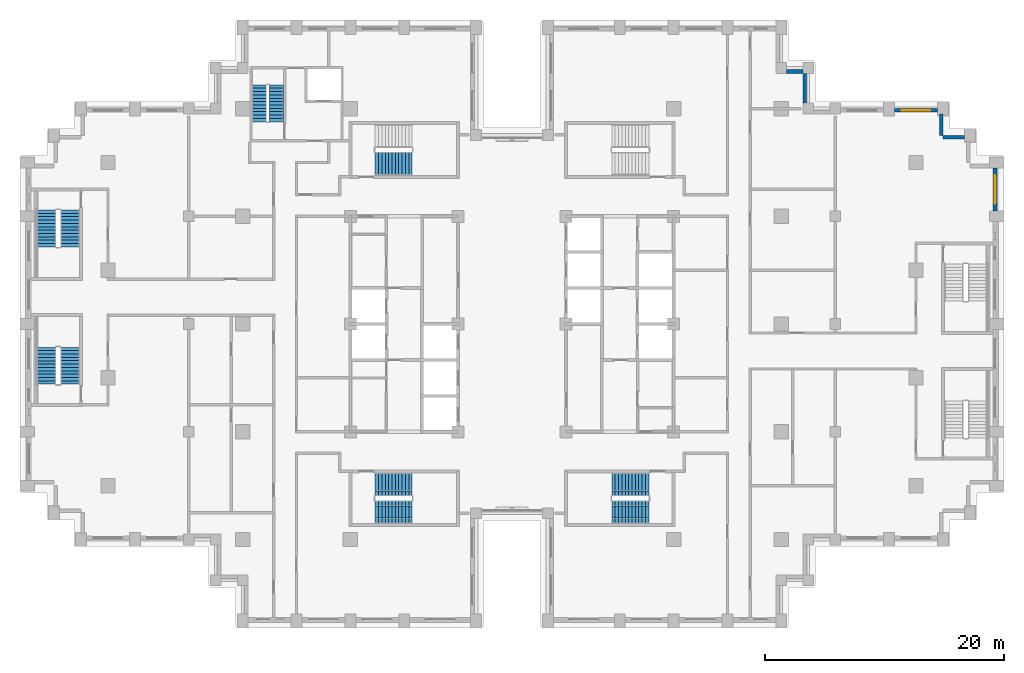
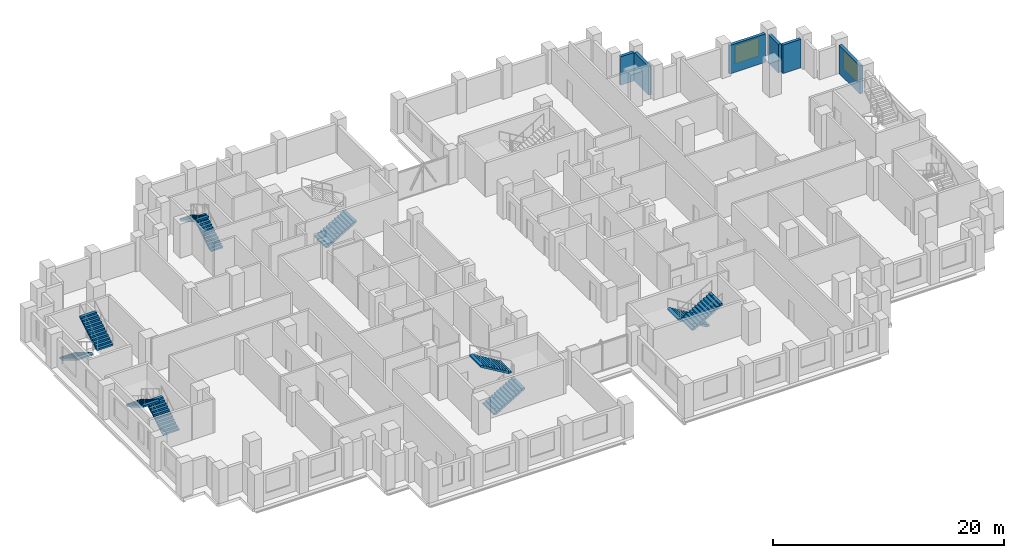
# One storey, part 13 of 16: 11 stair flights, 6 walls, 2 windows, 2 openings, 6 elements without a shape of their own.
"""IFC4 building model written with IfcOpenShell, lengths in metres."""

import ifcopenshell
import ifcopenshell.guid

model = None  # the IFC model being written
_history = None  # IfcOwnerHistory: only IFC2X3 demands one
_inside = {}  # id of a spatial element -> (the spatial element, [elements in it])
_under = {}  # id of a project, library or spatial element -> (it, [spatial elements below it])
_declared = {}  # id of a project -> (the project, [libraries it declares])
_typed = {}  # id of a type object -> (the type object, [elements of that type])
_made_of = {}  # id of a material, layer set ... -> (it, [elements and type objects made of it])


def new_model(schema):
    """Start an empty IFC model of exactly this schema.

    Asked for "IFC4X3", IfcOpenShell would pick the latest addendum, in which some entities
    have other attributes; the version numbers below select the first issue.
    IFC2X3 requires an IfcOwnerHistory on every rooted entity: one is made here for all.
    """
    global model, _history
    if schema == "IFC4X3":
        model = ifcopenshell.file(schema_version=(4, 3, 0, 0))
    else:
        model = ifcopenshell.file(schema=schema)
    _inside.clear()
    _under.clear()
    _declared.clear()
    _typed.clear()
    _made_of.clear()
    _history = None
    if model.schema == "IFC2X3":
        org = make("IfcOrganization", Name="unknown")
        user = make(
            "IfcPersonAndOrganization",
            ThePerson=make("IfcPerson", FamilyName="unknown"),
            TheOrganization=org,
        )
        app = make(
            "IfcApplication",
            ApplicationDeveloper=org,
            Version="unknown",
            ApplicationFullName="unknown",
            ApplicationIdentifier="unknown",
        )
        _history = make(
            "IfcOwnerHistory",
            OwningUser=user,
            OwningApplication=app,
            ChangeAction="ADDED",
            CreationDate=0,
        )
    return model


def make(cls, **values):
    """One entity of the class cls with the attributes given. An attribute that is None is left unset."""
    return model.create_entity(
        cls, **{name: value for name, value in values.items() if value is not None}
    )


def rooted(cls, **values):
    """An entity with a GlobalId (a new one), such as an element, a storey or a relation."""
    return make(cls, GlobalId=ifcopenshell.guid.new(), OwnerHistory=_history, **values)


def si_unit(unit_type, name, prefix=None):
    """IfcSIUnit, for example si_unit("LENGTHUNIT", "METRE", prefix="MILLI")."""
    return make("IfcSIUnit", UnitType=unit_type, Prefix=prefix, Name=name)


def assignment(units):
    """IfcUnitAssignment: the units of a project."""
    return None if units is None else make("IfcUnitAssignment", Units=units)


def point(xyz):
    """IfcCartesianPoint."""
    return None if xyz is None else make("IfcCartesianPoint", Coordinates=xyz)


def direction(xyz):
    """IfcDirection."""
    return None if xyz is None else make("IfcDirection", DirectionRatios=xyz)


def frame(location, z_axis=None, x_axis=None):
    """IfcAxis2Placement3D, a coordinate frame: its origin and axes. An axis left out is left unset."""
    return make(
        "IfcAxis2Placement3D",
        Location=point(location),
        Axis=direction(z_axis),
        RefDirection=direction(x_axis),
    )


def frame_2d(location, x_axis=None):
    """IfcAxis2Placement2D, a coordinate frame in the plane: its origin and x axis."""
    return make(
        "IfcAxis2Placement2D", Location=point(location), RefDirection=direction(x_axis)
    )


def origin():
    """The frame at (0, 0, 0) with its axes left unset."""
    return frame((0.0, 0.0, 0.0))


def place(relative_to, where):
    """IfcLocalPlacement: puts the frame where relative to a parent placement (None: the world)."""
    return make(
        "IfcLocalPlacement", PlacementRelTo=relative_to, RelativePlacement=where
    )


def context(
    kind, dimensions, precision=None, world=None, true_north=None, identifier=None
):
    """IfcGeometricRepresentationContext, for example the 3D "Model" context."""
    return make(
        "IfcGeometricRepresentationContext",
        ContextIdentifier=identifier,
        ContextType=kind,
        CoordinateSpaceDimension=dimensions,
        Precision=precision,
        WorldCoordinateSystem=world,
        TrueNorth=true_north,
    )


def subcontext(parent, identifier, kind, view, scale=None):
    """IfcGeometricRepresentationSubContext, for example "Body" below "Model"."""
    return make(
        "IfcGeometricRepresentationSubContext",
        ContextIdentifier=identifier,
        ContextType=kind,
        ParentContext=parent,
        TargetScale=scale,
        TargetView=view,
    )


def project(units=None, contexts=None):
    """IfcProject with its units and contexts."""
    return rooted(
        "IfcProject",
        Name="project",
        RepresentationContexts=contexts,
        UnitsInContext=assignment(units),
    )


def spatial(cls, under=None, at=None, **own):
    """A site, building, storey or space (cls), placed at a placement, below another one or the project."""
    s = rooted(cls, ObjectPlacement=at, **own)
    if under is not None:
        _under.setdefault(under.id(), (under, []))[1].append(s)
    return s


def polyline(points):
    """IfcPolyline through the points."""
    return make("IfcPolyline", Points=[point(p) for p in points])


def profile(cls, at=None, kind="AREA", **sizes):
    """A parametric profile (cls). Its sizes go by their IFC names, for example OverallWidth=200.0."""
    return make(cls, ProfileType=kind, Position=at, **sizes)


def rectangle(**sizes):
    """IfcRectangleProfileDef."""
    return profile("IfcRectangleProfileDef", **sizes)


def outline(outer, holes=None, kind="AREA"):
    """IfcArbitraryClosedProfileDef: a profile drawn as a closed curve; with holes, ...WithVoids."""
    if holes is None:
        return make("IfcArbitraryClosedProfileDef", ProfileType=kind, OuterCurve=outer)
    return make(
        "IfcArbitraryProfileDefWithVoids",
        ProfileType=kind,
        OuterCurve=outer,
        InnerCurves=holes,
    )


def extrude(swept, where, along, depth):
    """IfcExtrudedAreaSolid: the profile swept, set in the frame where, extruded along a direction by depth."""
    return make(
        "IfcExtrudedAreaSolid",
        SweptArea=swept,
        Position=where,
        ExtrudedDirection=direction(along),
        Depth=depth,
    )


def shape(context_of_items, identifier, shape_type, items):
    """IfcShapeRepresentation: the items that make up one representation, for example the "Body"."""
    return make(
        "IfcShapeRepresentation",
        ContextOfItems=context_of_items,
        RepresentationIdentifier=identifier,
        RepresentationType=shape_type,
        Items=items,
    )


def material(Name=None, Category=None):
    """IfcMaterial."""
    return make("IfcMaterial", Name=Name, Category=Category)


def layer(
    of_material, thickness, ventilated=None, Name=None, Category=None, Priority=None
):
    """IfcMaterialLayer: one layer of a wall or slab, of a material (None: an air gap)."""
    return make(
        "IfcMaterialLayer",
        Material=of_material,
        LayerThickness=thickness,
        IsVentilated=ventilated,
        Name=Name,
        Category=Category,
        Priority=Priority,
    )


def layer_set(layers, Name=None):
    """IfcMaterialLayerSet."""
    return make("IfcMaterialLayerSet", MaterialLayers=layers, LayerSetName=Name)


def made_of(thing, what):
    """Note that an element or type object is made of a material, layer set ...; save() writes the relation."""
    if what is not None:
        _made_of.setdefault(what.id(), (what, []))[1].append(thing)
    return thing


def type_object(cls, material=None, **own):
    """A type object (cls), such as IfcWallType, which elements share."""
    return made_of(rooted(cls, **own), material)


def element(
    cls,
    number,
    at=None,
    inside=None,
    cuts=None,
    type_object=None,
    material=None,
    context=None,
    identifier="Body",
    shape_type=None,
    held_by="IfcProductDefinitionShape",
    body=None,
    shapes=None,
    **own,
):
    """One element of the class cls, such as IfcWall. Its Tag is "e" and its number.

    at: its placement. inside: the storey or other place that contains it. cuts: it is an
    opening in that element (IfcRelVoidsElement). A single representation is given by context,
    identifier, shape_type and body (its items); several are given by shapes. held_by: the class
    of the entity that holds the representations. save() writes the other relations.
    """
    e = rooted(cls, Tag="e%d" % number, ObjectPlacement=at, **own)
    if body is not None:
        shapes = [shape(context, identifier, shape_type, body)]
    if shapes is not None:
        e.Representation = make(held_by, Representations=shapes)
    if inside is not None:
        _inside.setdefault(inside.id(), (inside, []))[1].append(e)
    if cuts is not None:
        rooted(
            "IfcRelVoidsElement", RelatingBuildingElement=cuts, RelatedOpeningElement=e
        )
    if type_object is not None:
        _typed.setdefault(type_object.id(), (type_object, []))[1].append(e)
    return made_of(e, material)


def fill(opening, filler):
    """IfcRelFillsElement: the door or window that sits in an opening."""
    return rooted(
        "IfcRelFillsElement",
        RelatingOpeningElement=opening,
        RelatedBuildingElement=filler,
    )


def aggregate(whole, parts):
    """IfcRelAggregates: a whole, such as a stair, and the parts it consists of."""
    return rooted("IfcRelAggregates", RelatingObject=whole, RelatedObjects=parts)


def save(model, path):
    """Write the relations noted so far, then the file.

    IfcRelAggregates (storeys below a building ...), IfcRelContainedInSpatialStructure (elements
    in a storey), IfcRelDefinesByType, IfcRelAssociatesMaterial and IfcRelDeclares: one each for
    every whole, place, type object, material and project.
    """
    for whole, parts in _under.values():
        aggregate(whole, parts)
    for where, things in _inside.values():
        rooted(
            "IfcRelContainedInSpatialStructure",
            RelatedElements=things,
            RelatingStructure=where,
        )
    for kind, things in _typed.values():
        rooted("IfcRelDefinesByType", RelatedObjects=things, RelatingType=kind)
    for what, things in _made_of.values():
        rooted("IfcRelAssociatesMaterial", RelatedObjects=things, RelatingMaterial=what)
    for by, libraries in _declared.values():
        rooted("IfcRelDeclares", RelatingContext=by, RelatedDefinitions=libraries)
    model.write(path)


model = new_model("IFC4")

# Units and contexts
model_context = context("Model", 3, precision=1e-05, world=origin(), true_north=direction((0.0, 1.0)))
body_context = subcontext(model_context, "Body", "Model", "MODEL_VIEW")
ifc_project = project(units=[si_unit("LENGTHUNIT", "METRE"), si_unit("AREAUNIT", "SQUARE_METRE"), si_unit("VOLUMEUNIT", "CUBIC_METRE"), si_unit("PLANEANGLEUNIT", "RADIAN"), si_unit("MASSUNIT", "GRAM", prefix="KILO")], contexts=[model_context])

# Site, building, storey
site_placement = place(None, origin())
site = spatial("IfcSite", under=ifc_project, at=site_placement, CompositionType="ELEMENT")
building_placement = place(site_placement, origin())
building = spatial("IfcBuilding", under=site, at=building_placement, Name="Corbelhall Arena Tower", CompositionType="ELEMENT")
storey_placement = place(building_placement, frame((0.0, 0.0, 116.0)))
storey = spatial("IfcBuildingStorey", under=building, at=storey_placement, Name="L21", CompositionType="ELEMENT", Elevation=116.0)

# Walls
ifc_material_1 = material(Name="Precast concrete C40/50 with granite facing", Category="masonry")
ifc_layer = layer(ifc_material_1, 0.300048828125)
ifc_layer_set = layer_set([ifc_layer], Name="EV-IW1 Infill panel 300")
wall_type = type_object("IfcWallType", Name="EV-IW1 Infill panel 300", PredefinedType="SOLIDWALL", material=ifc_layer_set)
for number, where, z_axis, x_axis, name in (
    (1, (37.800048828125, 15.60009765625, 0.0), (0.0, 0.0, 1.0), (-1.0, 0.0, 0.0), "Infill panel IW1"),
    (2, (35.85009765625, 17.550048828125, 0.0), (0.0, 0.0, 1.0), (0.0, -1.0, 0.0), "Infill panel IW1"),
):
    element("IfcWall", number, at=place(storey_placement, frame(where, z_axis=z_axis, x_axis=x_axis)), inside=storey, type_object=wall_type, Name=name, PredefinedType="SOLIDWALL", context=body_context, shape_type="SweptSolid", body=[
        extrude(rectangle(XDim=1.800048828125, YDim=0.300048828125, at=frame_2d((0.89990234375, 0.0))), origin(), (0.0, 0.0, 1.0), 2.99951171875),
    ])

# Wall, opening, window
wall_1_placement = place(storey_placement, frame((40.35009765625, 9.449951171875, 0.0), z_axis=(0.0, 0.0, 1.0), x_axis=(0.0, 1.0, 0.0)))
wall_1 = element("IfcWall", 3, at=wall_1_placement, inside=storey, type_object=wall_type, Name="Infill panel IW1", PredefinedType="SOLIDWALL", context=body_context, shape_type="SweptSolid", body=[
    extrude(rectangle(XDim=3.60009765625, YDim=0.300048828125, at=frame_2d((1.800048828125, 0.0))), origin(), (0.0, 0.0, 1.0), 2.99951171875),
])
opening_1_placement = place(wall_1_placement, frame((0.60009765625, 0.0, 0.800048828125)))
opening_1 = element("IfcOpeningElement", 4, at=opening_1_placement, cuts=wall_1, Name="Opening WN1", PredefinedType="OPENING", context=body_context, shape_type="SweptSolid", body=[
    extrude(rectangle(XDim=2.39990234375, YDim=1.949951171875, at=frame_2d((1.199951171875, 0.97509765625))), frame((0.0, 0.14990234375, 0.0), z_axis=(0.0, -1.0, 0.0), x_axis=(1.0, 0.0, 0.0)), (0.0, 0.0, 1.0), 0.300048828125),
])
ifc_material_2 = material(Name="Aluminium black anodised", Category="aluminium")
window_type = type_object("IfcWindowType", Name="EV-WN1 Office window", PartitioningType="SINGLE_PANEL", PredefinedType="WINDOW", material=ifc_material_2)
window_1_placement = place(opening_1_placement, origin())
window_1 = element("IfcWindow", 5, at=window_1_placement, inside=storey, type_object=window_type, Name="Window WN1", OverallHeight=1.949951171875, OverallWidth=2.39990234375, PartitioningType="SINGLE_PANEL", PredefinedType="WINDOW", context=body_context, shape_type="SweptSolid", body=[
    extrude(rectangle(XDim=2.39990234375, YDim=1.949951171875, at=frame_2d((1.199951171875, 0.97509765625))), frame((0.0, 0.030029296875, 0.0), z_axis=(0.0, -1.0, 0.0), x_axis=(1.0, 0.0, 0.0)), (0.0, 0.0, 1.0), 0.06005859375),
])
fill(opening_1, window_1)

wall_2_placement = place(storey_placement, frame((35.550048828125, 17.85009765625, 0.0), z_axis=(0.0, 0.0, 1.0), x_axis=(-1.0, 0.0, 0.0)))
wall_2 = element("IfcWall", 6, at=wall_2_placement, inside=storey, type_object=wall_type, Name="Infill panel IW1", PredefinedType="SOLIDWALL", context=body_context, shape_type="SweptSolid", body=[
    extrude(rectangle(XDim=3.60009765625, YDim=0.300048828125, at=frame_2d((1.800048828125, 0.0))), origin(), (0.0, 0.0, 1.0), 2.99951171875),
])
opening_2_placement = place(wall_2_placement, frame((0.60009765625, 0.0, 0.800048828125)))
opening_2 = element("IfcOpeningElement", 7, at=opening_2_placement, cuts=wall_2, Name="Opening WN1", PredefinedType="OPENING", context=body_context, shape_type="SweptSolid", body=[
    extrude(rectangle(XDim=2.39990234375, YDim=1.949951171875, at=frame_2d((1.199951171875, 0.97509765625))), frame((0.0, 0.14990234375, 0.0), z_axis=(0.0, -1.0, 0.0), x_axis=(1.0, 0.0, 0.0)), (0.0, 0.0, 1.0), 0.300048828125),
])
window_2_placement = place(opening_2_placement, origin())
window_2 = element("IfcWindow", 8, at=window_2_placement, inside=storey, type_object=window_type, Name="Window WN1", OverallHeight=1.949951171875, OverallWidth=2.39990234375, PartitioningType="SINGLE_PANEL", PredefinedType="WINDOW", context=body_context, shape_type="SweptSolid", body=[
    extrude(rectangle(XDim=2.39990234375, YDim=1.949951171875, at=frame_2d((1.199951171875, 0.97509765625))), frame((0.0, 0.030029296875, 0.0), z_axis=(0.0, -1.0, 0.0), x_axis=(1.0, 0.0, 0.0)), (0.0, 0.0, 1.0), 0.06005859375),
])
fill(opening_2, window_2)

# Walls
wall_3_placement = place(storey_placement, frame((24.449951171875, 18.449951171875, 0.0), z_axis=(0.0, 0.0, 1.0), x_axis=(0.0, 1.0, 0.0)))
element("IfcWall", 9, at=wall_3_placement, inside=storey, type_object=wall_type, Name="Infill panel IW1", PredefinedType="SOLIDWALL", context=body_context, shape_type="SweptSolid", body=[
    extrude(rectangle(XDim=2.5, YDim=0.300048828125, at=frame_2d((1.25, 0.0))), origin(), (0.0, 0.0, 1.0), 2.99951171875),
])
wall_4_placement = place(storey_placement, frame((24.300048828125, 21.10009765625, 0.0), z_axis=(0.0, 0.0, 1.0), x_axis=(-1.0, 0.0, 0.0)))
element("IfcWall", 10, at=wall_4_placement, inside=storey, type_object=wall_type, Name="Infill panel IW1", PredefinedType="SOLIDWALL", context=body_context, shape_type="SweptSolid", body=[
    extrude(rectangle(XDim=1.35009765625, YDim=0.300048828125, at=frame_2d((0.675048828125, 0.0))), origin(), (0.0, 0.0, 1.0), 2.99951171875),
])

# Stair, stair flight
ifc_material_3 = material(Name="Concrete C40/50", Category="concrete")
stair_type = type_object("IfcStairType", Name="IN-ST-TOWER", PredefinedType="HALF_TURN_STAIR", material=ifc_material_3)
stair_1_placement = place(storey_placement, origin())
stair_1 = element("IfcStair", 11, at=stair_1_placement, inside=storey, type_object=stair_type, Name="L21 Exit stair ST1", PredefinedType="HALF_TURN_STAIR")
stair_flight_type = type_object("IfcStairFlightType", Name="IN-SFL-RC", PredefinedType="STRAIGHT", material=ifc_material_3)
stair_flight_1_placement = place(storey_placement, frame((-11.425048828125, 13.39990234375, 0.0), z_axis=(0.0, 0.0, 1.0), x_axis=(1.0, 0.0, 0.0)))
stair_flight_1 = element("IfcStairFlight", 12, at=stair_flight_1_placement, type_object=stair_flight_type, Name="ST1 flight 1", NumberOfRisers=12, NumberOfTreads=11, PredefinedType="STRAIGHT", RiserHeight=0.166666667, TreadLength=0.28, context=body_context, shape_type="SweptSolid", body=[
    extrude(outline(polyline([(0.0, 0.0), (0.0, 0.166748046875), (0.280029296875, 0.166748046875), (0.280029296875, 0.333251953125), (0.56005859375, 0.333251953125), (0.56005859375, 0.5), (0.840087890625, 0.5), (0.840087890625, 0.666748046875), (1.1201171875, 0.666748046875), (1.1201171875, 0.833251953125), (1.39990234375, 0.833251953125), (1.39990234375, 1.0), (1.679931640625, 1.0), (1.679931640625, 1.166748046875), (1.9599609375, 1.166748046875), (1.9599609375, 1.333251953125), (2.239990234375, 1.333251953125), (2.239990234375, 1.5), (2.52001953125, 1.5), (2.52001953125, 1.666748046875), (2.800048828125, 1.666748046875), (2.800048828125, 1.833251953125), (3.080078125, 1.833251953125), (3.080078125, 2.0), (3.080078125, 1.658935546875), (0.29296875, 0.0), (0.0, 0.0)])), frame((0.0, 0.97509765625, 0.0), z_axis=(0.0, -1.0, 0.0), x_axis=(1.0, 0.0, 0.0)), (0.0, 0.0, 1.0), 0.449951171875),
    extrude(outline(polyline([(0.0, 0.0), (0.0, 0.166748046875), (0.280029296875, 0.166748046875), (0.280029296875, 0.333251953125), (0.56005859375, 0.333251953125), (0.56005859375, 0.5), (0.840087890625, 0.5), (0.840087890625, 0.666748046875), (1.1201171875, 0.666748046875), (1.1201171875, 0.833251953125), (1.39990234375, 0.833251953125), (1.39990234375, 1.0), (1.679931640625, 1.0), (1.679931640625, 1.166748046875), (1.9599609375, 1.166748046875), (1.9599609375, 1.333251953125), (2.239990234375, 1.333251953125), (2.239990234375, 1.5), (2.52001953125, 1.5), (2.52001953125, 1.666748046875), (2.800048828125, 1.666748046875), (2.800048828125, 1.833251953125), (3.080078125, 1.833251953125), (3.080078125, 2.0), (3.080078125, 1.658935546875), (0.29296875, 0.0), (0.0, 0.0)])), frame((0.0, 0.52099609375, 0.0), z_axis=(0.0, -1.0, 0.0), x_axis=(1.0, 0.0, 0.0)), (0.0, 0.0, 1.0), 1.0419921875),
    extrude(outline(polyline([(0.0, 0.0), (0.0, 0.166748046875), (0.280029296875, 0.166748046875), (0.280029296875, 0.333251953125), (0.56005859375, 0.333251953125), (0.56005859375, 0.5), (0.840087890625, 0.5), (0.840087890625, 0.666748046875), (1.1201171875, 0.666748046875), (1.1201171875, 0.833251953125), (1.39990234375, 0.833251953125), (1.39990234375, 1.0), (1.679931640625, 1.0), (1.679931640625, 1.166748046875), (1.9599609375, 1.166748046875), (1.9599609375, 1.333251953125), (2.239990234375, 1.333251953125), (2.239990234375, 1.5), (2.52001953125, 1.5), (2.52001953125, 1.666748046875), (2.800048828125, 1.666748046875), (2.800048828125, 1.833251953125), (3.080078125, 1.833251953125), (3.080078125, 2.0), (3.080078125, 1.658935546875), (0.29296875, 0.0), (0.0, 0.0)])), frame((0.0, -0.52490234375, 0.0), z_axis=(0.0, -1.0, 0.0), x_axis=(1.0, 0.0, 0.0)), (0.0, 0.0, 1.0), 0.449951171875),
])
aggregate(stair_1, [stair_flight_1])

# Stair, stair flights
stair_2_placement = place(storey_placement, origin())
stair_2 = element("IfcStair", 13, at=stair_2_placement, inside=storey, type_object=stair_type, Name="L21 Exit stair ST2", PredefinedType="HALF_TURN_STAIR")
stair_flight_2_placement = place(storey_placement, frame((-11.425048828125, -15.699951171875, 0.0), z_axis=(0.0, 0.0, 1.0), x_axis=(1.0, 0.0, 0.0)))
stair_flight_2 = element("IfcStairFlight", 14, at=stair_flight_2_placement, type_object=stair_flight_type, Name="ST2 flight 1", NumberOfRisers=12, NumberOfTreads=11, PredefinedType="STRAIGHT", RiserHeight=0.166666667, TreadLength=0.28, context=body_context, shape_type="SweptSolid", body=[
    extrude(outline(polyline([(0.0, 0.0), (0.0, 0.166748046875), (0.280029296875, 0.166748046875), (0.280029296875, 0.333251953125), (0.56005859375, 0.333251953125), (0.56005859375, 0.5), (0.840087890625, 0.5), (0.840087890625, 0.666748046875), (1.1201171875, 0.666748046875), (1.1201171875, 0.833251953125), (1.39990234375, 0.833251953125), (1.39990234375, 1.0), (1.679931640625, 1.0), (1.679931640625, 1.166748046875), (1.9599609375, 1.166748046875), (1.9599609375, 1.333251953125), (2.239990234375, 1.333251953125), (2.239990234375, 1.5), (2.52001953125, 1.5), (2.52001953125, 1.666748046875), (2.800048828125, 1.666748046875), (2.800048828125, 1.833251953125), (3.080078125, 1.833251953125), (3.080078125, 2.0), (3.080078125, 1.658935546875), (0.29296875, 0.0), (0.0, 0.0)])), frame((0.0, 0.97509765625, 0.0), z_axis=(0.0, -1.0, 0.0), x_axis=(1.0, 0.0, 0.0)), (0.0, 0.0, 1.0), 0.449951171875),
    extrude(outline(polyline([(0.0, 0.0), (0.0, 0.166748046875), (0.280029296875, 0.166748046875), (0.280029296875, 0.333251953125), (0.56005859375, 0.333251953125), (0.56005859375, 0.5), (0.840087890625, 0.5), (0.840087890625, 0.666748046875), (1.1201171875, 0.666748046875), (1.1201171875, 0.833251953125), (1.39990234375, 0.833251953125), (1.39990234375, 1.0), (1.679931640625, 1.0), (1.679931640625, 1.166748046875), (1.9599609375, 1.166748046875), (1.9599609375, 1.333251953125), (2.239990234375, 1.333251953125), (2.239990234375, 1.5), (2.52001953125, 1.5), (2.52001953125, 1.666748046875), (2.800048828125, 1.666748046875), (2.800048828125, 1.833251953125), (3.080078125, 1.833251953125), (3.080078125, 2.0), (3.080078125, 1.658935546875), (0.29296875, 0.0), (0.0, 0.0)])), frame((0.0, 0.52099609375, 0.0), z_axis=(0.0, -1.0, 0.0), x_axis=(1.0, 0.0, 0.0)), (0.0, 0.0, 1.0), 1.0419921875),
    extrude(outline(polyline([(0.0, 0.0), (0.0, 0.166748046875), (0.280029296875, 0.166748046875), (0.280029296875, 0.333251953125), (0.56005859375, 0.333251953125), (0.56005859375, 0.5), (0.840087890625, 0.5), (0.840087890625, 0.666748046875), (1.1201171875, 0.666748046875), (1.1201171875, 0.833251953125), (1.39990234375, 0.833251953125), (1.39990234375, 1.0), (1.679931640625, 1.0), (1.679931640625, 1.166748046875), (1.9599609375, 1.166748046875), (1.9599609375, 1.333251953125), (2.239990234375, 1.333251953125), (2.239990234375, 1.5), (2.52001953125, 1.5), (2.52001953125, 1.666748046875), (2.800048828125, 1.666748046875), (2.800048828125, 1.833251953125), (3.080078125, 1.833251953125), (3.080078125, 2.0), (3.080078125, 1.658935546875), (0.29296875, 0.0), (0.0, 0.0)])), frame((0.0, -0.52490234375, 0.0), z_axis=(0.0, -1.0, 0.0), x_axis=(1.0, 0.0, 0.0)), (0.0, 0.0, 1.0), 0.449951171875),
])
stair_flight_3_placement = place(storey_placement, frame((-8.344970703125, -13.39990234375, 2.0), z_axis=(0.0, 0.0, 1.0), x_axis=(-1.0, 0.0, 0.0)))
stair_flight_3 = element("IfcStairFlight", 15, at=stair_flight_3_placement, type_object=stair_flight_type, Name="ST2 flight 2", NumberOfRisers=12, NumberOfTreads=11, PredefinedType="STRAIGHT", RiserHeight=0.166666667, TreadLength=0.28, context=body_context, shape_type="SweptSolid", body=[
    extrude(outline(polyline([(0.0, 0.0), (0.0, 0.166748046875), (0.280029296875, 0.166748046875), (0.280029296875, 0.333251953125), (0.56005859375, 0.333251953125), (0.56005859375, 0.5), (0.840087890625, 0.5), (0.840087890625, 0.666748046875), (1.1201171875, 0.666748046875), (1.1201171875, 0.833251953125), (1.39990234375, 0.833251953125), (1.39990234375, 1.0), (1.679931640625, 1.0), (1.679931640625, 1.166748046875), (1.9599609375, 1.166748046875), (1.9599609375, 1.333251953125), (2.239990234375, 1.333251953125), (2.239990234375, 1.5), (2.52001953125, 1.5), (2.52001953125, 1.666748046875), (2.800048828125, 1.666748046875), (2.800048828125, 1.833251953125), (3.080078125, 1.833251953125), (3.080078125, 2.0), (3.080078125, 1.658935546875), (0.29296875, 0.0), (0.0, 0.0)])), frame((0.0, 0.97509765625, 0.0), z_axis=(0.0, -1.0, 0.0), x_axis=(1.0, 0.0, 0.0)), (0.0, 0.0, 1.0), 0.449951171875),
    extrude(outline(polyline([(0.0, 0.0), (0.0, 0.166748046875), (0.280029296875, 0.166748046875), (0.280029296875, 0.333251953125), (0.56005859375, 0.333251953125), (0.56005859375, 0.5), (0.840087890625, 0.5), (0.840087890625, 0.666748046875), (1.1201171875, 0.666748046875), (1.1201171875, 0.833251953125), (1.39990234375, 0.833251953125), (1.39990234375, 1.0), (1.679931640625, 1.0), (1.679931640625, 1.166748046875), (1.9599609375, 1.166748046875), (1.9599609375, 1.333251953125), (2.239990234375, 1.333251953125), (2.239990234375, 1.5), (2.52001953125, 1.5), (2.52001953125, 1.666748046875), (2.800048828125, 1.666748046875), (2.800048828125, 1.833251953125), (3.080078125, 1.833251953125), (3.080078125, 2.0), (3.080078125, 1.658935546875), (0.29296875, 0.0), (0.0, 0.0)])), frame((0.0, 0.52099609375, 0.0), z_axis=(0.0, -1.0, 0.0), x_axis=(1.0, 0.0, 0.0)), (0.0, 0.0, 1.0), 1.0419921875),
    extrude(outline(polyline([(0.0, 0.0), (0.0, 0.166748046875), (0.280029296875, 0.166748046875), (0.280029296875, 0.333251953125), (0.56005859375, 0.333251953125), (0.56005859375, 0.5), (0.840087890625, 0.5), (0.840087890625, 0.666748046875), (1.1201171875, 0.666748046875), (1.1201171875, 0.833251953125), (1.39990234375, 0.833251953125), (1.39990234375, 1.0), (1.679931640625, 1.0), (1.679931640625, 1.166748046875), (1.9599609375, 1.166748046875), (1.9599609375, 1.333251953125), (2.239990234375, 1.333251953125), (2.239990234375, 1.5), (2.52001953125, 1.5), (2.52001953125, 1.666748046875), (2.800048828125, 1.666748046875), (2.800048828125, 1.833251953125), (3.080078125, 1.833251953125), (3.080078125, 2.0), (3.080078125, 1.658935546875), (0.29296875, 0.0), (0.0, 0.0)])), frame((0.0, -0.52490234375, 0.0), z_axis=(0.0, -1.0, 0.0), x_axis=(1.0, 0.0, 0.0)), (0.0, 0.0, 1.0), 0.449951171875),
])
aggregate(stair_2, [stair_flight_2, stair_flight_3])

stair_3_placement = place(storey_placement, origin())
stair_3 = element("IfcStair", 16, at=stair_3_placement, inside=storey, type_object=stair_type, Name="L21 Exit stair ST4", PredefinedType="HALF_TURN_STAIR")
stair_flight_4_placement = place(storey_placement, frame((11.425048828125, -13.39990234375, 0.0), z_axis=(0.0, 0.0, 1.0), x_axis=(-1.0, 0.0, 0.0)))
stair_flight_4 = element("IfcStairFlight", 17, at=stair_flight_4_placement, type_object=stair_flight_type, Name="ST4 flight 1", NumberOfRisers=12, NumberOfTreads=11, PredefinedType="STRAIGHT", RiserHeight=0.166666667, TreadLength=0.28, context=body_context, shape_type="SweptSolid", body=[
    extrude(outline(polyline([(0.0, 0.0), (0.0, 0.166748046875), (0.280029296875, 0.166748046875), (0.280029296875, 0.333251953125), (0.56005859375, 0.333251953125), (0.56005859375, 0.5), (0.840087890625, 0.5), (0.840087890625, 0.666748046875), (1.1201171875, 0.666748046875), (1.1201171875, 0.833251953125), (1.39990234375, 0.833251953125), (1.39990234375, 1.0), (1.679931640625, 1.0), (1.679931640625, 1.166748046875), (1.9599609375, 1.166748046875), (1.9599609375, 1.333251953125), (2.239990234375, 1.333251953125), (2.239990234375, 1.5), (2.52001953125, 1.5), (2.52001953125, 1.666748046875), (2.800048828125, 1.666748046875), (2.800048828125, 1.833251953125), (3.080078125, 1.833251953125), (3.080078125, 2.0), (3.080078125, 1.658935546875), (0.29296875, 0.0), (0.0, 0.0)])), frame((0.0, 0.97509765625, 0.0), z_axis=(0.0, -1.0, 0.0), x_axis=(1.0, 0.0, 0.0)), (0.0, 0.0, 1.0), 0.449951171875),
    extrude(outline(polyline([(0.0, 0.0), (0.0, 0.166748046875), (0.280029296875, 0.166748046875), (0.280029296875, 0.333251953125), (0.56005859375, 0.333251953125), (0.56005859375, 0.5), (0.840087890625, 0.5), (0.840087890625, 0.666748046875), (1.1201171875, 0.666748046875), (1.1201171875, 0.833251953125), (1.39990234375, 0.833251953125), (1.39990234375, 1.0), (1.679931640625, 1.0), (1.679931640625, 1.166748046875), (1.9599609375, 1.166748046875), (1.9599609375, 1.333251953125), (2.239990234375, 1.333251953125), (2.239990234375, 1.5), (2.52001953125, 1.5), (2.52001953125, 1.666748046875), (2.800048828125, 1.666748046875), (2.800048828125, 1.833251953125), (3.080078125, 1.833251953125), (3.080078125, 2.0), (3.080078125, 1.658935546875), (0.29296875, 0.0), (0.0, 0.0)])), frame((0.0, 0.52099609375, 0.0), z_axis=(0.0, -1.0, 0.0), x_axis=(1.0, 0.0, 0.0)), (0.0, 0.0, 1.0), 1.0419921875),
    extrude(outline(polyline([(0.0, 0.0), (0.0, 0.166748046875), (0.280029296875, 0.166748046875), (0.280029296875, 0.333251953125), (0.56005859375, 0.333251953125), (0.56005859375, 0.5), (0.840087890625, 0.5), (0.840087890625, 0.666748046875), (1.1201171875, 0.666748046875), (1.1201171875, 0.833251953125), (1.39990234375, 0.833251953125), (1.39990234375, 1.0), (1.679931640625, 1.0), (1.679931640625, 1.166748046875), (1.9599609375, 1.166748046875), (1.9599609375, 1.333251953125), (2.239990234375, 1.333251953125), (2.239990234375, 1.5), (2.52001953125, 1.5), (2.52001953125, 1.666748046875), (2.800048828125, 1.666748046875), (2.800048828125, 1.833251953125), (3.080078125, 1.833251953125), (3.080078125, 2.0), (3.080078125, 1.658935546875), (0.29296875, 0.0), (0.0, 0.0)])), frame((0.0, -0.52490234375, 0.0), z_axis=(0.0, -1.0, 0.0), x_axis=(1.0, 0.0, 0.0)), (0.0, 0.0, 1.0), 0.449951171875),
])
stair_flight_5_placement = place(storey_placement, frame((8.344970703125, -15.699951171875, 2.0), z_axis=(0.0, 0.0, 1.0), x_axis=(1.0, 0.0, 0.0)))
stair_flight_5 = element("IfcStairFlight", 18, at=stair_flight_5_placement, type_object=stair_flight_type, Name="ST4 flight 2", NumberOfRisers=12, NumberOfTreads=11, PredefinedType="STRAIGHT", RiserHeight=0.166666667, TreadLength=0.28, context=body_context, shape_type="SweptSolid", body=[
    extrude(outline(polyline([(0.0, 0.0), (0.0, 0.166748046875), (0.280029296875, 0.166748046875), (0.280029296875, 0.333251953125), (0.56005859375, 0.333251953125), (0.56005859375, 0.5), (0.840087890625, 0.5), (0.840087890625, 0.666748046875), (1.1201171875, 0.666748046875), (1.1201171875, 0.833251953125), (1.39990234375, 0.833251953125), (1.39990234375, 1.0), (1.679931640625, 1.0), (1.679931640625, 1.166748046875), (1.9599609375, 1.166748046875), (1.9599609375, 1.333251953125), (2.239990234375, 1.333251953125), (2.239990234375, 1.5), (2.52001953125, 1.5), (2.52001953125, 1.666748046875), (2.800048828125, 1.666748046875), (2.800048828125, 1.833251953125), (3.080078125, 1.833251953125), (3.080078125, 2.0), (3.080078125, 1.658935546875), (0.29296875, 0.0), (0.0, 0.0)])), frame((0.0, 0.97509765625, 0.0), z_axis=(0.0, -1.0, 0.0), x_axis=(1.0, 0.0, 0.0)), (0.0, 0.0, 1.0), 0.449951171875),
    extrude(outline(polyline([(0.0, 0.0), (0.0, 0.166748046875), (0.280029296875, 0.166748046875), (0.280029296875, 0.333251953125), (0.56005859375, 0.333251953125), (0.56005859375, 0.5), (0.840087890625, 0.5), (0.840087890625, 0.666748046875), (1.1201171875, 0.666748046875), (1.1201171875, 0.833251953125), (1.39990234375, 0.833251953125), (1.39990234375, 1.0), (1.679931640625, 1.0), (1.679931640625, 1.166748046875), (1.9599609375, 1.166748046875), (1.9599609375, 1.333251953125), (2.239990234375, 1.333251953125), (2.239990234375, 1.5), (2.52001953125, 1.5), (2.52001953125, 1.666748046875), (2.800048828125, 1.666748046875), (2.800048828125, 1.833251953125), (3.080078125, 1.833251953125), (3.080078125, 2.0), (3.080078125, 1.658935546875), (0.29296875, 0.0), (0.0, 0.0)])), frame((0.0, 0.52099609375, 0.0), z_axis=(0.0, -1.0, 0.0), x_axis=(1.0, 0.0, 0.0)), (0.0, 0.0, 1.0), 1.0419921875),
    extrude(outline(polyline([(0.0, 0.0), (0.0, 0.166748046875), (0.280029296875, 0.166748046875), (0.280029296875, 0.333251953125), (0.56005859375, 0.333251953125), (0.56005859375, 0.5), (0.840087890625, 0.5), (0.840087890625, 0.666748046875), (1.1201171875, 0.666748046875), (1.1201171875, 0.833251953125), (1.39990234375, 0.833251953125), (1.39990234375, 1.0), (1.679931640625, 1.0), (1.679931640625, 1.166748046875), (1.9599609375, 1.166748046875), (1.9599609375, 1.333251953125), (2.239990234375, 1.333251953125), (2.239990234375, 1.5), (2.52001953125, 1.5), (2.52001953125, 1.666748046875), (2.800048828125, 1.666748046875), (2.800048828125, 1.833251953125), (3.080078125, 1.833251953125), (3.080078125, 2.0), (3.080078125, 1.658935546875), (0.29296875, 0.0), (0.0, 0.0)])), frame((0.0, -0.52490234375, 0.0), z_axis=(0.0, -1.0, 0.0), x_axis=(1.0, 0.0, 0.0)), (0.0, 0.0, 1.0), 0.449951171875),
])
aggregate(stair_3, [stair_flight_4, stair_flight_5])

stair_4_placement = place(storey_placement, origin())
stair_4 = element("IfcStair", 19, at=stair_4_placement, inside=storey, type_object=stair_type, Name="L21 Exit stair SC1", PredefinedType="HALF_TURN_STAIR")
stair_flight_6_placement = place(storey_placement, frame((-38.89990234375, 9.52490234375, 0.0), z_axis=(0.0, 0.0, 1.0), x_axis=(0.0, -1.0, 0.0)))
stair_flight_6 = element("IfcStairFlight", 20, at=stair_flight_6_placement, type_object=stair_flight_type, Name="SC1 flight 1", NumberOfRisers=12, NumberOfTreads=11, PredefinedType="STRAIGHT", RiserHeight=0.166666667, TreadLength=0.28, context=body_context, shape_type="SweptSolid", body=[
    extrude(outline(polyline([(0.0, 0.0), (0.0, 0.166748046875), (0.280029296875, 0.166748046875), (0.280029296875, 0.333251953125), (0.56005859375, 0.333251953125), (0.56005859375, 0.5), (0.840087890625, 0.5), (0.840087890625, 0.666748046875), (1.1201171875, 0.666748046875), (1.1201171875, 0.833251953125), (1.39990234375, 0.833251953125), (1.39990234375, 1.0), (1.679931640625, 1.0), (1.679931640625, 1.166748046875), (1.9599609375, 1.166748046875), (1.9599609375, 1.333251953125), (2.239990234375, 1.333251953125), (2.239990234375, 1.5), (2.52001953125, 1.5), (2.52001953125, 1.666748046875), (2.800048828125, 1.666748046875), (2.800048828125, 1.833251953125), (3.080078125, 1.833251953125), (3.080078125, 2.0), (3.080078125, 1.658935546875), (0.29296875, 0.0), (0.0, 0.0)])), frame((0.0, 0.800048828125, 0.0), z_axis=(0.0, -1.0, 0.0), x_axis=(1.0, 0.0, 0.0)), (0.0, 0.0, 1.0), 1.60009765625),
])
stair_flight_7_placement = place(storey_placement, frame((-36.925048828125, 6.445068359375, 2.0), z_axis=(0.0, 0.0, 1.0), x_axis=(0.0, 1.0, 0.0)))
stair_flight_7 = element("IfcStairFlight", 21, at=stair_flight_7_placement, type_object=stair_flight_type, Name="SC1 flight 2", NumberOfRisers=12, NumberOfTreads=11, PredefinedType="STRAIGHT", RiserHeight=0.166666667, TreadLength=0.28, context=body_context, shape_type="SweptSolid", body=[
    extrude(outline(polyline([(0.0, 0.0), (0.0, 0.166748046875), (0.280029296875, 0.166748046875), (0.280029296875, 0.333251953125), (0.56005859375, 0.333251953125), (0.56005859375, 0.5), (0.840087890625, 0.5), (0.840087890625, 0.666748046875), (1.1201171875, 0.666748046875), (1.1201171875, 0.833251953125), (1.39990234375, 0.833251953125), (1.39990234375, 1.0), (1.679931640625, 1.0), (1.679931640625, 1.166748046875), (1.9599609375, 1.166748046875), (1.9599609375, 1.333251953125), (2.239990234375, 1.333251953125), (2.239990234375, 1.5), (2.52001953125, 1.5), (2.52001953125, 1.666748046875), (2.800048828125, 1.666748046875), (2.800048828125, 1.833251953125), (3.080078125, 1.833251953125), (3.080078125, 2.0), (3.080078125, 1.658935546875), (0.29296875, 0.0), (0.0, 0.0)])), frame((0.0, 0.800048828125, 0.0), z_axis=(0.0, -1.0, 0.0), x_axis=(1.0, 0.0, 0.0)), (0.0, 0.0, 1.0), 1.60009765625),
])
aggregate(stair_4, [stair_flight_6, stair_flight_7])

stair_5_placement = place(storey_placement, origin())
stair_5 = element("IfcStair", 22, at=stair_5_placement, inside=storey, type_object=stair_type, Name="L21 Exit stair SC2", PredefinedType="HALF_TURN_STAIR")
stair_flight_8_placement = place(storey_placement, frame((-36.925048828125, -5.02490234375, 0.0), z_axis=(0.0, 0.0, 1.0), x_axis=(0.0, 1.0, 0.0)))
stair_flight_8 = element("IfcStairFlight", 23, at=stair_flight_8_placement, type_object=stair_flight_type, Name="SC2 flight 1", NumberOfRisers=12, NumberOfTreads=11, PredefinedType="STRAIGHT", RiserHeight=0.166666667, TreadLength=0.28, context=body_context, shape_type="SweptSolid", body=[
    extrude(outline(polyline([(0.0, 0.0), (0.0, 0.166748046875), (0.280029296875, 0.166748046875), (0.280029296875, 0.333251953125), (0.56005859375, 0.333251953125), (0.56005859375, 0.5), (0.840087890625, 0.5), (0.840087890625, 0.666748046875), (1.1201171875, 0.666748046875), (1.1201171875, 0.833251953125), (1.39990234375, 0.833251953125), (1.39990234375, 1.0), (1.679931640625, 1.0), (1.679931640625, 1.166748046875), (1.9599609375, 1.166748046875), (1.9599609375, 1.333251953125), (2.239990234375, 1.333251953125), (2.239990234375, 1.5), (2.52001953125, 1.5), (2.52001953125, 1.666748046875), (2.800048828125, 1.666748046875), (2.800048828125, 1.833251953125), (3.080078125, 1.833251953125), (3.080078125, 2.0), (3.080078125, 1.658935546875), (0.29296875, 0.0), (0.0, 0.0)])), frame((0.0, 0.800048828125, 0.0), z_axis=(0.0, -1.0, 0.0), x_axis=(1.0, 0.0, 0.0)), (0.0, 0.0, 1.0), 1.60009765625),
])
stair_flight_9_placement = place(storey_placement, frame((-38.89990234375, -1.945068359375, 2.0), z_axis=(0.0, 0.0, 1.0), x_axis=(0.0, -1.0, 0.0)))
stair_flight_9 = element("IfcStairFlight", 24, at=stair_flight_9_placement, type_object=stair_flight_type, Name="SC2 flight 2", NumberOfRisers=12, NumberOfTreads=11, PredefinedType="STRAIGHT", RiserHeight=0.166666667, TreadLength=0.28, context=body_context, shape_type="SweptSolid", body=[
    extrude(outline(polyline([(0.0, 0.0), (0.0, 0.166748046875), (0.280029296875, 0.166748046875), (0.280029296875, 0.333251953125), (0.56005859375, 0.333251953125), (0.56005859375, 0.5), (0.840087890625, 0.5), (0.840087890625, 0.666748046875), (1.1201171875, 0.666748046875), (1.1201171875, 0.833251953125), (1.39990234375, 0.833251953125), (1.39990234375, 1.0), (1.679931640625, 1.0), (1.679931640625, 1.166748046875), (1.9599609375, 1.166748046875), (1.9599609375, 1.333251953125), (2.239990234375, 1.333251953125), (2.239990234375, 1.5), (2.52001953125, 1.5), (2.52001953125, 1.666748046875), (2.800048828125, 1.666748046875), (2.800048828125, 1.833251953125), (3.080078125, 1.833251953125), (3.080078125, 2.0), (3.080078125, 1.658935546875), (0.29296875, 0.0), (0.0, 0.0)])), frame((0.0, 0.800048828125, 0.0), z_axis=(0.0, -1.0, 0.0), x_axis=(1.0, 0.0, 0.0)), (0.0, 0.0, 1.0), 1.60009765625),
])
aggregate(stair_5, [stair_flight_8, stair_flight_9])

stair_6_placement = place(storey_placement, origin())
stair_6 = element("IfcStair", 25, at=stair_6_placement, inside=storey, type_object=stair_type, Name="L21 Exit stair ST5", PredefinedType="HALF_TURN_STAIR")
stair_flight_10_placement = place(storey_placement, frame((-19.695068359375, 16.89990234375, 0.0), z_axis=(0.0, 0.0, 1.0), x_axis=(0.0, 1.0, 0.0)))
stair_flight_10 = element("IfcStairFlight", 26, at=stair_flight_10_placement, type_object=stair_flight_type, Name="ST5 flight 1", NumberOfRisers=12, NumberOfTreads=11, PredefinedType="STRAIGHT", RiserHeight=0.166666667, TreadLength=0.28, context=body_context, shape_type="SweptSolid", body=[
    extrude(outline(polyline([(0.0, 0.0), (0.0, 0.166748046875), (0.280029296875, 0.166748046875), (0.280029296875, 0.333251953125), (0.56005859375, 0.333251953125), (0.56005859375, 0.5), (0.840087890625, 0.5), (0.840087890625, 0.666748046875), (1.1201171875, 0.666748046875), (1.1201171875, 0.833251953125), (1.39990234375, 0.833251953125), (1.39990234375, 1.0), (1.679931640625, 1.0), (1.679931640625, 1.166748046875), (1.9599609375, 1.166748046875), (1.9599609375, 1.333251953125), (2.239990234375, 1.333251953125), (2.239990234375, 1.5), (2.52001953125, 1.5), (2.52001953125, 1.666748046875), (2.800048828125, 1.666748046875), (2.800048828125, 1.833251953125), (3.080078125, 1.833251953125), (3.080078125, 2.0), (3.080078125, 1.658935546875), (0.29296875, 0.0), (0.0, 0.0)])), frame((0.0, 0.60009765625, 0.0), z_axis=(0.0, -1.0, 0.0), x_axis=(1.0, 0.0, 0.0)), (0.0, 0.0, 1.0), 1.199951171875),
])
stair_flight_11_placement = place(storey_placement, frame((-21.094970703125, 19.97998046875, 2.0), z_axis=(0.0, 0.0, 1.0), x_axis=(0.0, -1.0, 0.0)))
stair_flight_11 = element("IfcStairFlight", 27, at=stair_flight_11_placement, type_object=stair_flight_type, Name="ST5 flight 2", NumberOfRisers=12, NumberOfTreads=11, PredefinedType="STRAIGHT", RiserHeight=0.166666667, TreadLength=0.28, context=body_context, shape_type="SweptSolid", body=[
    extrude(outline(polyline([(0.0, 0.0), (0.0, 0.166748046875), (0.280029296875, 0.166748046875), (0.280029296875, 0.333251953125), (0.56005859375, 0.333251953125), (0.56005859375, 0.5), (0.840087890625, 0.5), (0.840087890625, 0.666748046875), (1.1201171875, 0.666748046875), (1.1201171875, 0.833251953125), (1.39990234375, 0.833251953125), (1.39990234375, 1.0), (1.679931640625, 1.0), (1.679931640625, 1.166748046875), (1.9599609375, 1.166748046875), (1.9599609375, 1.333251953125), (2.239990234375, 1.333251953125), (2.239990234375, 1.5), (2.52001953125, 1.5), (2.52001953125, 1.666748046875), (2.800048828125, 1.666748046875), (2.800048828125, 1.833251953125), (3.080078125, 1.833251953125), (3.080078125, 2.0), (3.080078125, 1.658935546875), (0.29296875, 0.0), (0.0, 0.0)])), frame((0.0, 0.60009765625, 0.0), z_axis=(0.0, -1.0, 0.0), x_axis=(1.0, 0.0, 0.0)), (0.0, 0.0, 1.0), 1.199951171875),
])
aggregate(stair_6, [stair_flight_10, stair_flight_11])

save(model, "model.ifc")
